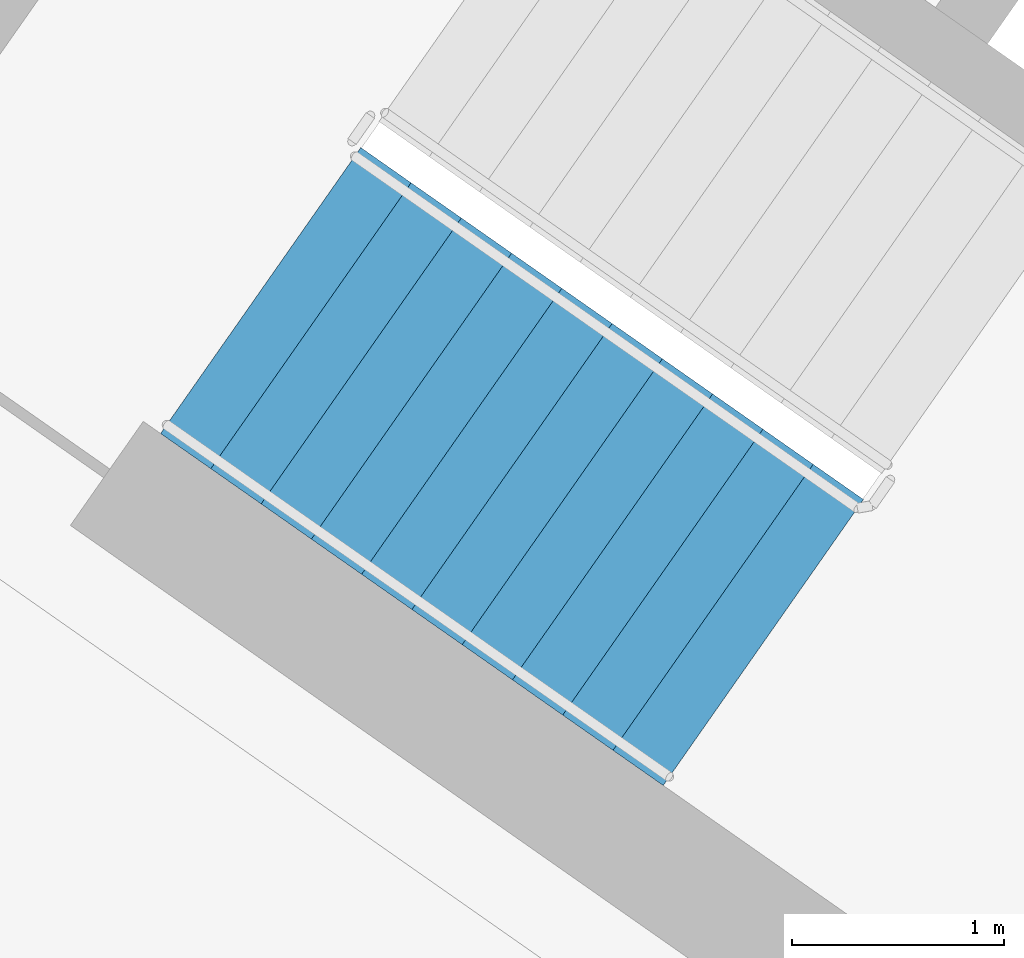
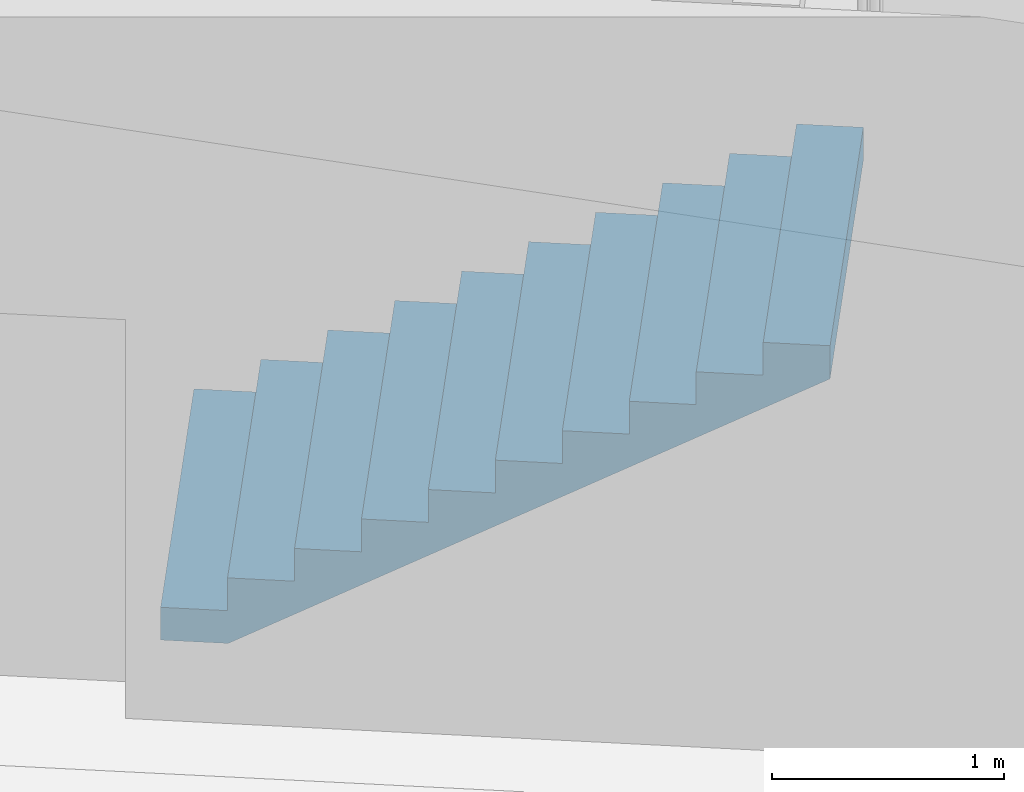
# One storey, part 8 of 29: 1 stair flight, 1 element without a shape of its own.
"""IFC4 building model written with IfcOpenShell, lengths in metres."""

from ifc_helpers import new_model, si_unit, direction, frame, origin, place, context, subcontext, project, spatial, faceted_brep, material, type_object, element, aggregate, save


model = new_model("IFC4")

# Units and contexts
model_context = context("Model", 3, precision=1e-05, world=origin(), true_north=direction((0.0, 1.0)))
body_context = subcontext(model_context, "Body", "Model", "MODEL_VIEW")
ifc_project = project(units=[si_unit("LENGTHUNIT", "METRE"), si_unit("AREAUNIT", "SQUARE_METRE"), si_unit("VOLUMEUNIT", "CUBIC_METRE"), si_unit("PLANEANGLEUNIT", "RADIAN"), si_unit("MASSUNIT", "GRAM", prefix="KILO")], contexts=[model_context])

# Site, building, storey
site_placement = place(None, origin())
site = spatial("IfcSite", under=ifc_project, at=site_placement, CompositionType="ELEMENT")
building_placement = place(site_placement, origin())
building = spatial("IfcBuilding", under=site, at=building_placement, Name="Qamariyya Broadcast Tower", CompositionType="ELEMENT")
storey_placement = place(building_placement, frame((0.0, 0.0, 258.10009765625)))
storey = spatial("IfcBuildingStorey", under=building, at=storey_placement, Name="L62", CompositionType="ELEMENT", Elevation=258.10009765625)

# Stair, stair flight
ifc_material = material(Name="Concrete C50/60", Category="concrete")
stair_type = type_object("IfcStairType", Name="Exit stair 22 risers of 173 mm", PredefinedType="HALF_TURN_STAIR", material=ifc_material)
stair_placement = place(storey_placement, origin())
stair = element("IfcStair", 1, at=stair_placement, inside=storey, type_object=stair_type, Name="L62 Stair W1", PredefinedType="HALF_TURN_STAIR")
stair_flight_type = type_object("IfcStairFlightType", Name="Exit stair flight 11 risers of 173 mm", PredefinedType="STRAIGHT", material=ifc_material)
stair_flight_placement = place(storey_placement, frame((-47.06884765625, -56.982666015625, 0.0), z_axis=(0.0, 0.0, 1.0), x_axis=(0.819152044289, -0.573576436351, 0.0)))
stair_flight = element("IfcStairFlight", 2, at=stair_flight_placement, type_object=stair_flight_type, Name="ST-W1 flight 1", NumberOfRisers=11, NumberOfTreads=10, PredefinedType="STRAIGHT", RiserHeight=0.172727273, TreadLength=0.29, context=body_context, shape_type="Brep", body=[
    faceted_brep([(0.0, 0.824951171875, 0.0), (0.0, 0.824951171875, 0.172607421875), (0.2900390625, 0.824951171875, 0.172607421875), (0.2900390625, 0.824951171875, 0.345458984375), (0.580078125, 0.824951171875, 0.345458984375), (0.580078125, 0.824951171875, 0.51806640625), (0.8701171875, 0.824951171875, 0.51806640625), (0.8701171875, 0.824951171875, 0.69091796875), (1.159912109375, 0.824951171875, 0.69091796875), (1.159912109375, 0.824951171875, 0.863525390625), (1.449951171875, 0.824951171875, 0.863525390625), (1.449951171875, 0.824951171875, 1.036376953125), (1.739990234375, 0.824951171875, 1.036376953125), (1.739990234375, 0.824951171875, 1.208984375), (2.030029296875, 0.824951171875, 1.208984375), (2.030029296875, 0.824951171875, 1.3818359375), (2.320068359375, 0.824951171875, 1.3818359375), (2.320068359375, 0.824951171875, 1.554443359375), (2.610107421875, 0.824951171875, 1.554443359375), (2.610107421875, 0.824951171875, 1.727294921875), (2.89990234375, 0.824951171875, 1.727294921875), (2.89990234375, 0.824951171875, 1.552734375), (0.29296875, 0.824951171875, 0.0), (0.29296875, -0.824951171875, 0.0), (2.89990234375, -0.824951171875, 1.552734375), (2.89990234375, -0.824951171875, 1.727294921875), (2.610107421875, -0.824951171875, 1.727294921875), (2.610107421875, -0.824951171875, 1.554443359375), (2.320068359375, -0.824951171875, 1.554443359375), (2.320068359375, -0.824951171875, 1.3818359375), (2.030029296875, -0.824951171875, 1.3818359375), (2.030029296875, -0.824951171875, 1.208984375), (1.739990234375, -0.824951171875, 1.208984375), (1.739990234375, -0.824951171875, 1.036376953125), (1.449951171875, -0.824951171875, 1.036376953125), (1.449951171875, -0.824951171875, 0.863525390625), (1.159912109375, -0.824951171875, 0.863525390625), (1.159912109375, -0.824951171875, 0.69091796875), (0.8701171875, -0.824951171875, 0.69091796875), (0.8701171875, -0.824951171875, 0.51806640625), (0.580078125, -0.824951171875, 0.51806640625), (0.580078125, -0.824951171875, 0.345458984375), (0.2900390625, -0.824951171875, 0.345458984375), (0.2900390625, -0.824951171875, 0.172607421875), (0.0, -0.824951171875, 0.172607421875), (0.0, -0.824951171875, 0.0), (0.0, 0.10009765625, 0.0), (0.0, 0.086669921875, 0.0), (0.0, 0.0732421875, 0.0), (0.0, 0.06005859375, 0.0), (0.0, 0.046630859375, 0.0), (0.0, 0.033447265625, 0.0), (0.0, 0.02001953125, 0.0), (0.0, 0.006591796875, 0.0), (0.0, -0.006591796875, 0.0), (0.0, -0.02001953125, 0.0), (0.0, -0.033447265625, 0.0), (0.0, -0.046630859375, 0.0), (0.0, -0.06005859375, 0.0), (0.0, -0.0732421875, 0.0), (0.0, -0.086669921875, 0.0), (0.0, -0.10009765625, 0.0), (0.0, -0.10009765625, 0.172607421875), (0.0, -0.086669921875, 0.172607421875), (0.0, -0.0732421875, 0.172607421875), (0.0, -0.06005859375, 0.172607421875), (0.0, -0.046630859375, 0.172607421875), (0.0, -0.033447265625, 0.172607421875), (0.0, -0.02001953125, 0.172607421875), (0.0, -0.006591796875, 0.172607421875), (0.0, 0.006591796875, 0.172607421875), (0.0, 0.02001953125, 0.172607421875), (0.0, 0.033447265625, 0.172607421875), (0.0, 0.046630859375, 0.172607421875), (0.0, 0.06005859375, 0.172607421875), (0.0, 0.0732421875, 0.172607421875), (0.0, 0.086669921875, 0.172607421875), (0.0, 0.10009765625, 0.172607421875), (0.2900390625, -0.10009765625, 0.172607421875), (0.2900390625, -0.086669921875, 0.172607421875), (0.2900390625, -0.0732421875, 0.172607421875), (0.2900390625, -0.06005859375, 0.172607421875), (0.2900390625, -0.046630859375, 0.172607421875), (0.2900390625, -0.033447265625, 0.172607421875), (0.2900390625, -0.02001953125, 0.172607421875), (0.2900390625, -0.006591796875, 0.172607421875), (0.2900390625, 0.006591796875, 0.172607421875), (0.2900390625, 0.02001953125, 0.172607421875), (0.2900390625, 0.033447265625, 0.172607421875), (0.2900390625, 0.046630859375, 0.172607421875), (0.2900390625, 0.06005859375, 0.172607421875), (0.2900390625, 0.0732421875, 0.172607421875), (0.2900390625, 0.086669921875, 0.172607421875), (0.2900390625, 0.10009765625, 0.172607421875), (0.2900390625, -0.10009765625, 0.345458984375), (0.2900390625, -0.086669921875, 0.345458984375), (0.2900390625, -0.0732421875, 0.345458984375), (0.2900390625, -0.06005859375, 0.345458984375), (0.2900390625, -0.046630859375, 0.345458984375), (0.2900390625, -0.033447265625, 0.345458984375), (0.2900390625, -0.02001953125, 0.345458984375), (0.2900390625, -0.006591796875, 0.345458984375), (0.2900390625, 0.006591796875, 0.345458984375), (0.2900390625, 0.02001953125, 0.345458984375), (0.2900390625, 0.033447265625, 0.345458984375), (0.2900390625, 0.046630859375, 0.345458984375), (0.2900390625, 0.06005859375, 0.345458984375), (0.2900390625, 0.0732421875, 0.345458984375), (0.2900390625, 0.086669921875, 0.345458984375), (0.2900390625, 0.10009765625, 0.345458984375), (0.580078125, -0.10009765625, 0.345458984375), (0.580078125, -0.086669921875, 0.345458984375), (0.580078125, -0.0732421875, 0.345458984375), (0.580078125, -0.06005859375, 0.345458984375), (0.580078125, -0.046630859375, 0.345458984375), (0.580078125, -0.033447265625, 0.345458984375), (0.580078125, -0.02001953125, 0.345458984375), (0.580078125, -0.006591796875, 0.345458984375), (0.580078125, 0.006591796875, 0.345458984375), (0.580078125, 0.02001953125, 0.345458984375), (0.580078125, 0.033447265625, 0.345458984375), (0.580078125, 0.046630859375, 0.345458984375), (0.580078125, 0.06005859375, 0.345458984375), (0.580078125, 0.0732421875, 0.345458984375), (0.580078125, 0.086669921875, 0.345458984375), (0.580078125, 0.10009765625, 0.345458984375), (0.580078125, -0.10009765625, 0.51806640625), (0.580078125, -0.086669921875, 0.51806640625), (0.580078125, -0.0732421875, 0.51806640625), (0.580078125, -0.06005859375, 0.51806640625), (0.580078125, -0.046630859375, 0.51806640625), (0.580078125, -0.033447265625, 0.51806640625), (0.580078125, -0.02001953125, 0.51806640625), (0.580078125, -0.006591796875, 0.51806640625), (0.580078125, 0.006591796875, 0.51806640625), (0.580078125, 0.02001953125, 0.51806640625), (0.580078125, 0.033447265625, 0.51806640625), (0.580078125, 0.046630859375, 0.51806640625), (0.580078125, 0.06005859375, 0.51806640625), (0.580078125, 0.0732421875, 0.51806640625), (0.580078125, 0.086669921875, 0.51806640625), (0.580078125, 0.10009765625, 0.51806640625), (0.8701171875, -0.10009765625, 0.51806640625), (0.8701171875, -0.086669921875, 0.51806640625), (0.8701171875, -0.0732421875, 0.51806640625), (0.8701171875, -0.06005859375, 0.51806640625), (0.8701171875, -0.046630859375, 0.51806640625), (0.8701171875, -0.033447265625, 0.51806640625), (0.8701171875, -0.02001953125, 0.51806640625), (0.8701171875, -0.006591796875, 0.51806640625), (0.8701171875, 0.006591796875, 0.51806640625), (0.8701171875, 0.02001953125, 0.51806640625), (0.8701171875, 0.033447265625, 0.51806640625), (0.8701171875, 0.046630859375, 0.51806640625), (0.8701171875, 0.06005859375, 0.51806640625), (0.8701171875, 0.0732421875, 0.51806640625), (0.8701171875, 0.086669921875, 0.51806640625), (0.8701171875, 0.10009765625, 0.51806640625), (0.8701171875, -0.10009765625, 0.69091796875), (0.8701171875, -0.086669921875, 0.69091796875), (0.8701171875, -0.0732421875, 0.69091796875), (0.8701171875, -0.06005859375, 0.69091796875), (0.8701171875, -0.046630859375, 0.69091796875), (0.8701171875, -0.033447265625, 0.69091796875), (0.8701171875, -0.02001953125, 0.69091796875), (0.8701171875, -0.006591796875, 0.69091796875), (0.8701171875, 0.006591796875, 0.69091796875), (0.8701171875, 0.02001953125, 0.69091796875), (0.8701171875, 0.033447265625, 0.69091796875), (0.8701171875, 0.046630859375, 0.69091796875), (0.8701171875, 0.06005859375, 0.69091796875), (0.8701171875, 0.0732421875, 0.69091796875), (0.8701171875, 0.086669921875, 0.69091796875), (0.8701171875, 0.10009765625, 0.69091796875), (1.159912109375, -0.10009765625, 0.69091796875), (1.159912109375, -0.086669921875, 0.69091796875), (1.159912109375, -0.0732421875, 0.69091796875), (1.159912109375, -0.06005859375, 0.69091796875), (1.159912109375, -0.046630859375, 0.69091796875), (1.159912109375, -0.033447265625, 0.69091796875), (1.159912109375, -0.02001953125, 0.69091796875), (1.159912109375, -0.006591796875, 0.69091796875), (1.159912109375, 0.006591796875, 0.69091796875), (1.159912109375, 0.02001953125, 0.69091796875), (1.159912109375, 0.033447265625, 0.69091796875), (1.159912109375, 0.046630859375, 0.69091796875), (1.159912109375, 0.06005859375, 0.69091796875), (1.159912109375, 0.0732421875, 0.69091796875), (1.159912109375, 0.086669921875, 0.69091796875), (1.159912109375, 0.10009765625, 0.69091796875), (1.159912109375, -0.10009765625, 0.863525390625), (1.159912109375, -0.086669921875, 0.863525390625), (1.159912109375, -0.0732421875, 0.863525390625), (1.159912109375, -0.06005859375, 0.863525390625), (1.159912109375, -0.046630859375, 0.863525390625), (1.159912109375, -0.033447265625, 0.863525390625), (1.159912109375, -0.02001953125, 0.863525390625), (1.159912109375, -0.006591796875, 0.863525390625), (1.159912109375, 0.006591796875, 0.863525390625), (1.159912109375, 0.02001953125, 0.863525390625), (1.159912109375, 0.033447265625, 0.863525390625), (1.159912109375, 0.046630859375, 0.863525390625), (1.159912109375, 0.06005859375, 0.863525390625), (1.159912109375, 0.0732421875, 0.863525390625), (1.159912109375, 0.086669921875, 0.863525390625), (1.159912109375, 0.10009765625, 0.863525390625), (1.449951171875, -0.10009765625, 0.863525390625), (1.449951171875, -0.086669921875, 0.863525390625), (1.449951171875, -0.0732421875, 0.863525390625), (1.449951171875, -0.06005859375, 0.863525390625), (1.449951171875, -0.046630859375, 0.863525390625), (1.449951171875, -0.033447265625, 0.863525390625), (1.449951171875, -0.02001953125, 0.863525390625), (1.449951171875, -0.006591796875, 0.863525390625), (1.449951171875, 0.006591796875, 0.863525390625), (1.449951171875, 0.02001953125, 0.863525390625), (1.449951171875, 0.033447265625, 0.863525390625), (1.449951171875, 0.046630859375, 0.863525390625), (1.449951171875, 0.06005859375, 0.863525390625), (1.449951171875, 0.0732421875, 0.863525390625), (1.449951171875, 0.086669921875, 0.863525390625), (1.449951171875, 0.10009765625, 0.863525390625), (1.449951171875, -0.10009765625, 1.036376953125), (1.449951171875, -0.086669921875, 1.036376953125), (1.449951171875, -0.0732421875, 1.036376953125), (1.449951171875, -0.06005859375, 1.036376953125), (1.449951171875, -0.046630859375, 1.036376953125), (1.449951171875, -0.033447265625, 1.036376953125), (1.449951171875, -0.02001953125, 1.036376953125), (1.449951171875, -0.006591796875, 1.036376953125), (1.449951171875, 0.006591796875, 1.036376953125), (1.449951171875, 0.02001953125, 1.036376953125), (1.449951171875, 0.033447265625, 1.036376953125), (1.449951171875, 0.046630859375, 1.036376953125), (1.449951171875, 0.06005859375, 1.036376953125), (1.449951171875, 0.0732421875, 1.036376953125), (1.449951171875, 0.086669921875, 1.036376953125), (1.449951171875, 0.10009765625, 1.036376953125), (1.739990234375, -0.10009765625, 1.036376953125), (1.739990234375, -0.086669921875, 1.036376953125), (1.739990234375, -0.0732421875, 1.036376953125), (1.739990234375, -0.06005859375, 1.036376953125), (1.739990234375, -0.046630859375, 1.036376953125), (1.739990234375, -0.033447265625, 1.036376953125), (1.739990234375, -0.02001953125, 1.036376953125), (1.739990234375, -0.006591796875, 1.036376953125), (1.739990234375, 0.006591796875, 1.036376953125), (1.739990234375, 0.02001953125, 1.036376953125), (1.739990234375, 0.033447265625, 1.036376953125), (1.739990234375, 0.046630859375, 1.036376953125), (1.739990234375, 0.06005859375, 1.036376953125), (1.739990234375, 0.0732421875, 1.036376953125), (1.739990234375, 0.086669921875, 1.036376953125), (1.739990234375, 0.10009765625, 1.036376953125), (1.739990234375, -0.10009765625, 1.208984375), (1.739990234375, -0.086669921875, 1.208984375), (1.739990234375, -0.0732421875, 1.208984375), (1.739990234375, -0.06005859375, 1.208984375), (1.739990234375, -0.046630859375, 1.208984375), (1.739990234375, -0.033447265625, 1.208984375), (1.739990234375, -0.02001953125, 1.208984375), (1.739990234375, -0.006591796875, 1.208984375), (1.739990234375, 0.006591796875, 1.208984375), (1.739990234375, 0.02001953125, 1.208984375), (1.739990234375, 0.033447265625, 1.208984375), (1.739990234375, 0.046630859375, 1.208984375), (1.739990234375, 0.06005859375, 1.208984375), (1.739990234375, 0.0732421875, 1.208984375), (1.739990234375, 0.086669921875, 1.208984375), (1.739990234375, 0.10009765625, 1.208984375), (2.030029296875, -0.10009765625, 1.208984375), (2.030029296875, -0.086669921875, 1.208984375), (2.030029296875, -0.0732421875, 1.208984375), (2.030029296875, -0.06005859375, 1.208984375), (2.030029296875, -0.046630859375, 1.208984375), (2.030029296875, -0.033447265625, 1.208984375), (2.030029296875, -0.02001953125, 1.208984375), (2.030029296875, -0.006591796875, 1.208984375), (2.030029296875, 0.006591796875, 1.208984375), (2.030029296875, 0.02001953125, 1.208984375), (2.030029296875, 0.033447265625, 1.208984375), (2.030029296875, 0.046630859375, 1.208984375), (2.030029296875, 0.06005859375, 1.208984375), (2.030029296875, 0.0732421875, 1.208984375), (2.030029296875, 0.086669921875, 1.208984375), (2.030029296875, 0.10009765625, 1.208984375), (2.030029296875, -0.10009765625, 1.3818359375), (2.030029296875, -0.086669921875, 1.3818359375), (2.030029296875, -0.0732421875, 1.3818359375), (2.030029296875, -0.06005859375, 1.3818359375), (2.030029296875, -0.046630859375, 1.3818359375), (2.030029296875, -0.033447265625, 1.3818359375), (2.030029296875, -0.02001953125, 1.3818359375), (2.030029296875, -0.006591796875, 1.3818359375), (2.030029296875, 0.006591796875, 1.3818359375), (2.030029296875, 0.02001953125, 1.3818359375), (2.030029296875, 0.033447265625, 1.3818359375), (2.030029296875, 0.046630859375, 1.3818359375), (2.030029296875, 0.06005859375, 1.3818359375), (2.030029296875, 0.0732421875, 1.3818359375), (2.030029296875, 0.086669921875, 1.3818359375), (2.030029296875, 0.10009765625, 1.3818359375), (2.320068359375, -0.10009765625, 1.3818359375), (2.320068359375, -0.086669921875, 1.3818359375), (2.320068359375, -0.0732421875, 1.3818359375), (2.320068359375, -0.06005859375, 1.3818359375), (2.320068359375, -0.046630859375, 1.3818359375), (2.320068359375, -0.033447265625, 1.3818359375), (2.320068359375, -0.02001953125, 1.3818359375), (2.320068359375, -0.006591796875, 1.3818359375), (2.320068359375, 0.006591796875, 1.3818359375), (2.320068359375, 0.02001953125, 1.3818359375), (2.320068359375, 0.033447265625, 1.3818359375), (2.320068359375, 0.046630859375, 1.3818359375), (2.320068359375, 0.06005859375, 1.3818359375), (2.320068359375, 0.0732421875, 1.3818359375), (2.320068359375, 0.086669921875, 1.3818359375), (2.320068359375, 0.10009765625, 1.3818359375), (2.320068359375, -0.10009765625, 1.554443359375), (2.320068359375, -0.086669921875, 1.554443359375), (2.320068359375, -0.0732421875, 1.554443359375), (2.320068359375, -0.06005859375, 1.554443359375), (2.320068359375, -0.046630859375, 1.554443359375), (2.320068359375, -0.033447265625, 1.554443359375), (2.320068359375, -0.02001953125, 1.554443359375), (2.320068359375, -0.006591796875, 1.554443359375), (2.320068359375, 0.006591796875, 1.554443359375), (2.320068359375, 0.02001953125, 1.554443359375), (2.320068359375, 0.033447265625, 1.554443359375), (2.320068359375, 0.046630859375, 1.554443359375), (2.320068359375, 0.06005859375, 1.554443359375), (2.320068359375, 0.0732421875, 1.554443359375), (2.320068359375, 0.086669921875, 1.554443359375), (2.320068359375, 0.10009765625, 1.554443359375), (2.610107421875, -0.10009765625, 1.554443359375), (2.610107421875, -0.086669921875, 1.554443359375), (2.610107421875, -0.0732421875, 1.554443359375), (2.610107421875, -0.06005859375, 1.554443359375), (2.610107421875, -0.046630859375, 1.554443359375), (2.610107421875, -0.033447265625, 1.554443359375), (2.610107421875, -0.02001953125, 1.554443359375), (2.610107421875, -0.006591796875, 1.554443359375), (2.610107421875, 0.006591796875, 1.554443359375), (2.610107421875, 0.02001953125, 1.554443359375), (2.610107421875, 0.033447265625, 1.554443359375), (2.610107421875, 0.046630859375, 1.554443359375), (2.610107421875, 0.06005859375, 1.554443359375), (2.610107421875, 0.0732421875, 1.554443359375), (2.610107421875, 0.086669921875, 1.554443359375), (2.610107421875, 0.10009765625, 1.554443359375), (2.610107421875, -0.10009765625, 1.727294921875), (2.610107421875, -0.086669921875, 1.727294921875), (2.610107421875, -0.0732421875, 1.727294921875), (2.610107421875, -0.06005859375, 1.727294921875), (2.610107421875, -0.046630859375, 1.727294921875), (2.610107421875, -0.033447265625, 1.727294921875), (2.610107421875, -0.02001953125, 1.727294921875), (2.610107421875, -0.006591796875, 1.727294921875), (2.610107421875, 0.006591796875, 1.727294921875), (2.610107421875, 0.02001953125, 1.727294921875), (2.610107421875, 0.033447265625, 1.727294921875), (2.610107421875, 0.046630859375, 1.727294921875), (2.610107421875, 0.06005859375, 1.727294921875), (2.610107421875, 0.0732421875, 1.727294921875), (2.610107421875, 0.086669921875, 1.727294921875), (2.610107421875, 0.10009765625, 1.727294921875), (2.89990234375, -0.10009765625, 1.727294921875), (2.89990234375, -0.086669921875, 1.727294921875), (2.89990234375, -0.0732421875, 1.727294921875), (2.89990234375, -0.06005859375, 1.727294921875), (2.89990234375, -0.046630859375, 1.727294921875), (2.89990234375, -0.033447265625, 1.727294921875), (2.89990234375, -0.02001953125, 1.727294921875), (2.89990234375, -0.006591796875, 1.727294921875), (2.89990234375, 0.006591796875, 1.727294921875), (2.89990234375, 0.02001953125, 1.727294921875), (2.89990234375, 0.033447265625, 1.727294921875), (2.89990234375, 0.046630859375, 1.727294921875), (2.89990234375, 0.06005859375, 1.727294921875), (2.89990234375, 0.0732421875, 1.727294921875), (2.89990234375, 0.086669921875, 1.727294921875), (2.89990234375, 0.10009765625, 1.727294921875), (2.89990234375, -0.10009765625, 1.552734375), (2.89990234375, -0.086669921875, 1.552734375), (2.89990234375, -0.0732421875, 1.552734375), (2.89990234375, -0.06005859375, 1.552734375), (2.89990234375, -0.046630859375, 1.552734375), (2.89990234375, -0.033447265625, 1.552734375), (2.89990234375, -0.02001953125, 1.552734375), (2.89990234375, -0.006591796875, 1.552734375), (2.89990234375, 0.006591796875, 1.552734375), (2.89990234375, 0.02001953125, 1.552734375), (2.89990234375, 0.033447265625, 1.552734375), (2.89990234375, 0.046630859375, 1.552734375), (2.89990234375, 0.06005859375, 1.552734375), (2.89990234375, 0.0732421875, 1.552734375), (2.89990234375, 0.086669921875, 1.552734375), (2.89990234375, 0.10009765625, 1.552734375), (0.29296875, -0.10009765625, 0.0), (0.29296875, -0.086669921875, 0.0), (0.29296875, -0.0732421875, 0.0), (0.29296875, -0.06005859375, 0.0), (0.29296875, -0.046630859375, 0.0), (0.29296875, -0.033447265625, 0.0), (0.29296875, -0.02001953125, 0.0), (0.29296875, -0.006591796875, 0.0), (0.29296875, 0.006591796875, 0.0), (0.29296875, 0.02001953125, 0.0), (0.29296875, 0.033447265625, 0.0), (0.29296875, 0.046630859375, 0.0), (0.29296875, 0.06005859375, 0.0), (0.29296875, 0.0732421875, 0.0), (0.29296875, 0.086669921875, 0.0), (0.29296875, 0.10009765625, 0.0)], [[[0, 1, 2, 3, 4, 5, 6, 7, 8, 9, 10, 11, 12, 13, 14, 15, 16, 17, 18, 19, 20, 21, 22]], [[23, 24, 25, 26, 27, 28, 29, 30, 31, 32, 33, 34, 35, 36, 37, 38, 39, 40, 41, 42, 43, 44, 45]], [[0, 46, 47, 48, 49, 50, 51, 52, 53, 54, 55, 56, 57, 58, 59, 60, 61, 45, 44, 62, 63, 64, 65, 66, 67, 68, 69, 70, 71, 72, 73, 74, 75, 76, 77, 1]], [[1, 77, 76, 75, 74, 73, 72, 71, 70, 69, 68, 67, 66, 65, 64, 63, 62, 44, 43, 78, 79, 80, 81, 82, 83, 84, 85, 86, 87, 88, 89, 90, 91, 92, 93, 2]], [[2, 93, 92, 91, 90, 89, 88, 87, 86, 85, 84, 83, 82, 81, 80, 79, 78, 43, 42, 94, 95, 96, 97, 98, 99, 100, 101, 102, 103, 104, 105, 106, 107, 108, 109, 3]], [[3, 109, 108, 107, 106, 105, 104, 103, 102, 101, 100, 99, 98, 97, 96, 95, 94, 42, 41, 110, 111, 112, 113, 114, 115, 116, 117, 118, 119, 120, 121, 122, 123, 124, 125, 4]], [[4, 125, 124, 123, 122, 121, 120, 119, 118, 117, 116, 115, 114, 113, 112, 111, 110, 41, 40, 126, 127, 128, 129, 130, 131, 132, 133, 134, 135, 136, 137, 138, 139, 140, 141, 5]], [[5, 141, 140, 139, 138, 137, 136, 135, 134, 133, 132, 131, 130, 129, 128, 127, 126, 40, 39, 142, 143, 144, 145, 146, 147, 148, 149, 150, 151, 152, 153, 154, 155, 156, 157, 6]], [[6, 157, 156, 155, 154, 153, 152, 151, 150, 149, 148, 147, 146, 145, 144, 143, 142, 39, 38, 158, 159, 160, 161, 162, 163, 164, 165, 166, 167, 168, 169, 170, 171, 172, 173, 7]], [[7, 173, 172, 171, 170, 169, 168, 167, 166, 165, 164, 163, 162, 161, 160, 159, 158, 38, 37, 174, 175, 176, 177, 178, 179, 180, 181, 182, 183, 184, 185, 186, 187, 188, 189, 8]], [[8, 189, 188, 187, 186, 185, 184, 183, 182, 181, 180, 179, 178, 177, 176, 175, 174, 37, 36, 190, 191, 192, 193, 194, 195, 196, 197, 198, 199, 200, 201, 202, 203, 204, 205, 9]], [[9, 205, 204, 203, 202, 201, 200, 199, 198, 197, 196, 195, 194, 193, 192, 191, 190, 36, 35, 206, 207, 208, 209, 210, 211, 212, 213, 214, 215, 216, 217, 218, 219, 220, 221, 10]], [[10, 221, 220, 219, 218, 217, 216, 215, 214, 213, 212, 211, 210, 209, 208, 207, 206, 35, 34, 222, 223, 224, 225, 226, 227, 228, 229, 230, 231, 232, 233, 234, 235, 236, 237, 11]], [[11, 237, 236, 235, 234, 233, 232, 231, 230, 229, 228, 227, 226, 225, 224, 223, 222, 34, 33, 238, 239, 240, 241, 242, 243, 244, 245, 246, 247, 248, 249, 250, 251, 252, 253, 12]], [[12, 253, 252, 251, 250, 249, 248, 247, 246, 245, 244, 243, 242, 241, 240, 239, 238, 33, 32, 254, 255, 256, 257, 258, 259, 260, 261, 262, 263, 264, 265, 266, 267, 268, 269, 13]], [[13, 269, 268, 267, 266, 265, 264, 263, 262, 261, 260, 259, 258, 257, 256, 255, 254, 32, 31, 270, 271, 272, 273, 274, 275, 276, 277, 278, 279, 280, 281, 282, 283, 284, 285, 14]], [[14, 285, 284, 283, 282, 281, 280, 279, 278, 277, 276, 275, 274, 273, 272, 271, 270, 31, 30, 286, 287, 288, 289, 290, 291, 292, 293, 294, 295, 296, 297, 298, 299, 300, 301, 15]], [[15, 301, 300, 299, 298, 297, 296, 295, 294, 293, 292, 291, 290, 289, 288, 287, 286, 30, 29, 302, 303, 304, 305, 306, 307, 308, 309, 310, 311, 312, 313, 314, 315, 316, 317, 16]], [[16, 317, 316, 315, 314, 313, 312, 311, 310, 309, 308, 307, 306, 305, 304, 303, 302, 29, 28, 318, 319, 320, 321, 322, 323, 324, 325, 326, 327, 328, 329, 330, 331, 332, 333, 17]], [[17, 333, 332, 331, 330, 329, 328, 327, 326, 325, 324, 323, 322, 321, 320, 319, 318, 28, 27, 334, 335, 336, 337, 338, 339, 340, 341, 342, 343, 344, 345, 346, 347, 348, 349, 18]], [[18, 349, 348, 347, 346, 345, 344, 343, 342, 341, 340, 339, 338, 337, 336, 335, 334, 27, 26, 350, 351, 352, 353, 354, 355, 356, 357, 358, 359, 360, 361, 362, 363, 364, 365, 19]], [[19, 365, 364, 363, 362, 361, 360, 359, 358, 357, 356, 355, 354, 353, 352, 351, 350, 26, 25, 366, 367, 368, 369, 370, 371, 372, 373, 374, 375, 376, 377, 378, 379, 380, 381, 20]], [[20, 381, 380, 379, 378, 377, 376, 375, 374, 373, 372, 371, 370, 369, 368, 367, 366, 25, 24, 382, 383, 384, 385, 386, 387, 388, 389, 390, 391, 392, 393, 394, 395, 396, 397, 21]], [[21, 397, 396, 395, 394, 393, 392, 391, 390, 389, 388, 387, 386, 385, 384, 383, 382, 24, 23, 398, 399, 400, 401, 402, 403, 404, 405, 406, 407, 408, 409, 410, 411, 412, 413, 22]], [[22, 413, 412, 411, 410, 409, 408, 407, 406, 405, 404, 403, 402, 401, 400, 399, 398, 23, 45, 61, 60, 59, 58, 57, 56, 55, 54, 53, 52, 51, 50, 49, 48, 47, 46, 0]]]),
])
aggregate(stair, [stair_flight])

save(model, "model.ifc")
